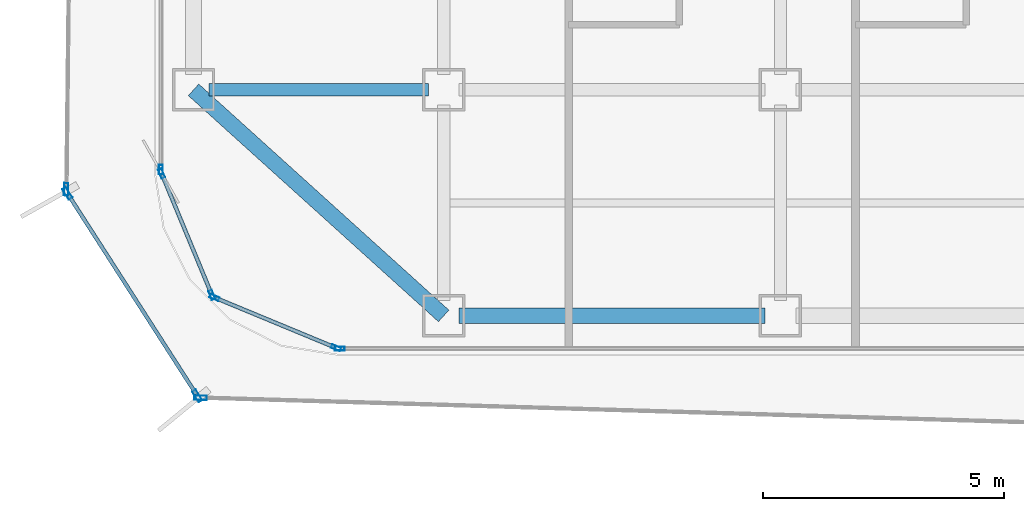
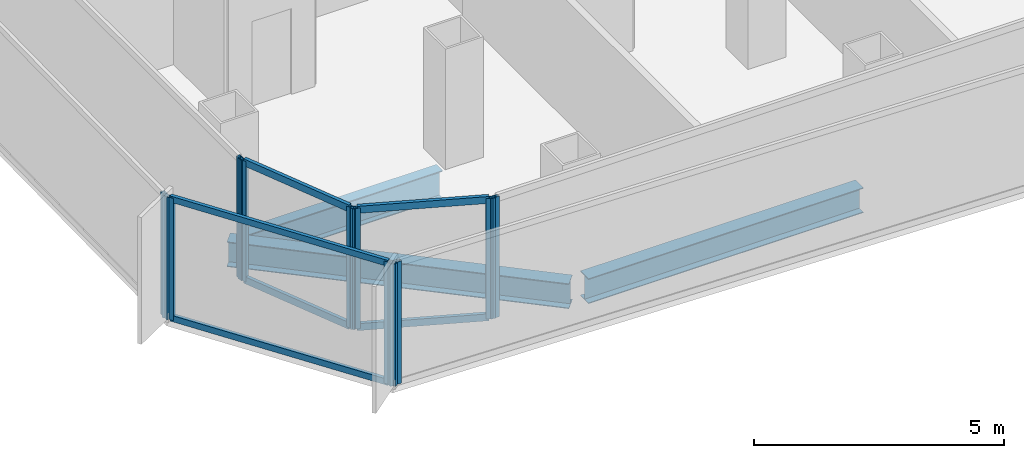
# One storey, part 2 of 21: 16 members, 3 beams, 7 elements without a shape of their own.
"""IFC4 building model written with IfcOpenShell, lengths in metres."""

from ifc_helpers import new_model, si_unit, direction, frame, origin, origin_2d, place, context, subcontext, project, spatial, hollow_rectangle, i_section, extrude, source, transform, mapped, material, layer, layer_set, material_profile, profile_set, type_object, element, aggregate, save


model = new_model("IFC4")

# Units and contexts
model_context = context("Model", 3, precision=1e-05, world=origin(), true_north=direction((0.0, 1.0)))
body_context = subcontext(model_context, "Body", "Model", "MODEL_VIEW")
ifc_project = project(units=[si_unit("LENGTHUNIT", "METRE"), si_unit("AREAUNIT", "SQUARE_METRE"), si_unit("VOLUMEUNIT", "CUBIC_METRE"), si_unit("PLANEANGLEUNIT", "RADIAN"), si_unit("MASSUNIT", "GRAM", prefix="KILO")], contexts=[model_context])

# Site, building, storey
site_placement = place(None, origin())
site = spatial("IfcSite", under=ifc_project, at=site_placement, CompositionType="ELEMENT")
building_placement = place(site_placement, origin())
building = spatial("IfcBuilding", under=site, at=building_placement, Name="Kolveth Station Tower", CompositionType="ELEMENT")
storey_placement = place(building_placement, frame((0.0, 0.0, 115.10009765625)))
storey = spatial("IfcBuildingStorey", under=building, at=storey_placement, Name="L31", CompositionType="ELEMENT", Elevation=115.10009765625)

# Beams
ifc_material_1 = material(Name="Steel S355", Category="steel")
ifc_material_profile_1 = material_profile(ifc_material_1, i_section(OverallWidth=0.323974609375, OverallDepth=0.611083984375, WebThickness=0.0126953125, FlangeThickness=0.01904296875, at=origin_2d()), Name="W610x155")
ifc_profile_set_1 = profile_set([ifc_material_profile_1], Name="Steel S355")
beam_type_1 = type_object("IfcBeamType", Name="Beam_SP2", PredefinedType="SPANDREL", material=ifc_profile_set_1)
shared_shape_1 = source(origin(), body_context, "Body", "SweptSolid", [
    extrude(i_section(OverallWidth=0.323974609375, OverallDepth=0.611083984375, WebThickness=0.0126953125, FlangeThickness=0.01904296875, at=origin_2d()), origin(), (0.0, 0.0, 1.0), 6.35986328125),
])
beam_1_placement = place(storey_placement, frame((6.320068359375, 0.800048828125, -0.5556640625), z_axis=(1.0, 0.0, 0.0), x_axis=(0.0, 1.0, 0.0)))
element("IfcBeam", 1, at=beam_1_placement, inside=storey, type_object=beam_type_1, Name="L31 Perimeter Spandrel BM-L31-PS-1", PredefinedType="SPANDREL", context=body_context, shape_type="MappedRepresentation", body=[
    mapped(shared_shape_1, transform((0.0, 0.0, 0.0), x_axis=(1.0, 0.0, 0.0), y_axis=(0.0, 1.0, 0.0), z_axis=(0.0, 0.0, 1.0), scale=1.0)),
])
shared_shape_2 = source(origin(), body_context, "Body", "SweptSolid", [
    extrude(i_section(OverallWidth=0.323974609375, OverallDepth=0.611083984375, WebThickness=0.0126953125, FlangeThickness=0.01904296875, at=origin_2d()), origin(), (0.0, 0.0, 1.0), 7.00927734375),
])
beam_2_placement = place(storey_placement, frame((0.800048828125, 5.5, -0.5556640625), z_axis=(0.741874009795, -0.670539300557, 0.0), x_axis=(0.670539300557, 0.741874009795, 0.0)))
element("IfcBeam", 2, at=beam_2_placement, inside=storey, type_object=beam_type_1, Name="L31 Corner Edge Girder BM-L31-CNR-SW", PredefinedType="SPANDREL", context=body_context, shape_type="MappedRepresentation", body=[
    mapped(shared_shape_2, transform((0.0, 0.0, 0.0), x_axis=(1.0, 0.0, 0.0), y_axis=(0.0, 1.0, 0.0), z_axis=(0.0, 0.0, 1.0), scale=1.0)),
])
ifc_material_profile_2 = material_profile(ifc_material_1, i_section(OverallWidth=0.25390625, OverallDepth=0.68798828125, WebThickness=0.01318359375, FlangeThickness=0.02099609375, at=origin_2d()), Name="W690x152")
ifc_profile_set_2 = profile_set([ifc_material_profile_2], Name="Steel S355")
beam_type_2 = type_object("IfcBeamType", Name="Beam_B4", PredefinedType="BEAM", material=ifc_profile_set_2)
shared_shape_3 = source(origin(), body_context, "Body", "SweptSolid", [
    extrude(i_section(OverallWidth=0.25390625, OverallDepth=0.68798828125, WebThickness=0.01318359375, FlangeThickness=0.02099609375, at=origin_2d()), origin(), (0.0, 0.0, 1.0), 4.559814453125),
])
beam_3_placement = place(storey_placement, frame((1.1201171875, 5.5, -0.593994140625), z_axis=(1.0, 0.0, 0.0), x_axis=(0.0, 1.0, 0.0)))
element("IfcBeam", 3, at=beam_3_placement, inside=storey, type_object=beam_type_2, Name="L31 Primary Girder BM-L31-GY55-1", PredefinedType="BEAM", context=body_context, shape_type="MappedRepresentation", body=[
    mapped(shared_shape_3, transform((0.0, 0.0, 0.0), x_axis=(1.0, 0.0, 0.0), y_axis=(0.0, 1.0, 0.0), z_axis=(0.0, 0.0, 1.0), scale=1.0)),
])

# Curtain wall, member
ifc_material_2 = material(Name="Aluminium 6063-T6 and low-E dark glass", Category="aluminium")
ifc_layer_1 = layer(ifc_material_2, 0.18994140625)
ifc_layer_set_1 = layer_set([ifc_layer_1], Name="Aluminium 6063-T6 and low-E dark glass")
curtain_wall_type_1 = type_object("IfcCurtainWallType", Name="CurtainWall_CW-Z2", PredefinedType="NOTDEFINED", material=ifc_layer_set_1)
curtain_wall_1_placement = place(storey_placement, origin())
curtain_wall_1 = element("IfcCurtainWall", 4, at=curtain_wall_1_placement, inside=storey, type_object=curtain_wall_type_1, Name="L31 Inner Thermal Curtain Wall 9", PredefinedType="NOTDEFINED")
ifc_material_3 = material(Name="Black anodized aluminium 6063-T6", Category="aluminium")
ifc_material_profile_3 = material_profile(ifc_material_3, hollow_rectangle(XDim=0.080078125, YDim=0.199951171875, WallThickness=0.0048828125, at=origin_2d()), Name="ALU-80x200x5")
ifc_profile_set_3 = profile_set([ifc_material_profile_3], Name="Black anodized aluminium 6063-T6")
member_type_1 = type_object("IfcMemberType", Name="Mullion_ML2", PredefinedType="MULLION", material=ifc_profile_set_3)
shared_shape_4 = source(origin(), body_context, "Body", "SweptSolid", [
    extrude(hollow_rectangle(XDim=0.080078125, YDim=0.199951171875, WallThickness=0.0048828125, at=origin_2d()), origin(), (0.0, 0.0, 1.0), 2.949951171875),
])
member_1_placement = place(storey_placement, frame((0.1201171875, 3.840087890625, 0.0), z_axis=(0.0, 0.0, 1.0), x_axis=(1.0, 0.0, 0.0)))
member_1 = element("IfcMember", 5, at=member_1_placement, type_object=member_type_1, Name="CW-Z2 mullion 2", PredefinedType="MULLION", context=body_context, shape_type="MappedRepresentation", body=[
    mapped(shared_shape_4, transform((0.0, 0.0, 0.0), x_axis=(1.0, 0.0, 0.0), y_axis=(0.0, 1.0, 0.0), z_axis=(0.0, 0.0, 1.0), scale=1.0)),
])
aggregate(curtain_wall_1, [member_1])

# Curtain wall, members
curtain_wall_2_placement = place(storey_placement, origin())
curtain_wall_2 = element("IfcCurtainWall", 6, at=curtain_wall_2_placement, inside=storey, type_object=curtain_wall_type_1, Name="L31 Inner Thermal Curtain Wall 10", PredefinedType="NOTDEFINED")
member_2_placement = place(storey_placement, frame((0.13525390625, 3.762939453125, 0.0), z_axis=(0.0, 0.0, 1.0), x_axis=(0.923887883787, 0.38266326998, 0.0)))
member_2 = element("IfcMember", 7, at=member_2_placement, type_object=member_type_1, Name="CW-Z2 mullion 1", PredefinedType="MULLION", context=body_context, shape_type="MappedRepresentation", body=[
    mapped(shared_shape_4, transform((0.0, 0.0, 0.0), x_axis=(1.0, 0.0, 0.0), y_axis=(0.0, 1.0, 0.0), z_axis=(0.0, 0.0, 1.0), scale=1.0)),
])
member_3_placement = place(storey_placement, frame((1.182373046875, 1.23486328125, 0.0), z_axis=(0.0, 0.0, 1.0), x_axis=(0.923887883787, 0.38266326998, 0.0)))
member_3 = element("IfcMember", 8, at=member_3_placement, type_object=member_type_1, Name="CW-Z2 mullion 2", PredefinedType="MULLION", context=body_context, shape_type="MappedRepresentation", body=[
    mapped(shared_shape_4, transform((0.0, 0.0, 0.0), x_axis=(1.0, 0.0, 0.0), y_axis=(0.0, 1.0, 0.0), z_axis=(0.0, 0.0, 1.0), scale=1.0)),
])

curtain_wall_3_placement = place(storey_placement, origin())
curtain_wall_3 = element("IfcCurtainWall", 9, at=curtain_wall_3_placement, inside=storey, type_object=curtain_wall_type_1, Name="L31 Inner Thermal Curtain Wall 11", PredefinedType="NOTDEFINED")
member_4_placement = place(storey_placement, frame((1.23486328125, 1.182373046875, 0.0), z_axis=(0.0, 0.0, 1.0), x_axis=(0.38266326998, 0.923887883787, 0.0)))
member_4 = element("IfcMember", 10, at=member_4_placement, type_object=member_type_1, Name="CW-Z2 mullion 1", PredefinedType="MULLION", context=body_context, shape_type="MappedRepresentation", body=[
    mapped(shared_shape_4, transform((0.0, 0.0, 0.0), x_axis=(1.0, 0.0, 0.0), y_axis=(0.0, 1.0, 0.0), z_axis=(0.0, 0.0, 1.0), scale=1.0)),
])
member_5_placement = place(storey_placement, frame((3.762939453125, 0.13525390625, 0.0), z_axis=(0.0, 0.0, 1.0), x_axis=(0.38266326998, 0.923887883787, 0.0)))
member_5 = element("IfcMember", 11, at=member_5_placement, type_object=member_type_1, Name="CW-Z2 mullion 2", PredefinedType="MULLION", context=body_context, shape_type="MappedRepresentation", body=[
    mapped(shared_shape_4, transform((0.0, 0.0, 0.0), x_axis=(1.0, 0.0, 0.0), y_axis=(0.0, 1.0, 0.0), z_axis=(0.0, 0.0, 1.0), scale=1.0)),
])

# Curtain wall, member
curtain_wall_4_placement = place(storey_placement, origin())
curtain_wall_4 = element("IfcCurtainWall", 12, at=curtain_wall_4_placement, inside=storey, type_object=curtain_wall_type_1, Name="L31 Inner Thermal Curtain Wall 12", PredefinedType="NOTDEFINED")
member_6_placement = place(storey_placement, frame((3.840087890625, 0.1201171875, 0.0), z_axis=(0.0, 0.0, 1.0), x_axis=(0.0, 1.0, 0.0)))
member_6 = element("IfcMember", 13, at=member_6_placement, type_object=member_type_1, Name="CW-Z2 mullion 1", PredefinedType="MULLION", context=body_context, shape_type="MappedRepresentation", body=[
    mapped(shared_shape_4, transform((0.0, 0.0, 0.0), x_axis=(1.0, 0.0, 0.0), y_axis=(0.0, 1.0, 0.0), z_axis=(0.0, 0.0, 1.0), scale=1.0)),
])
aggregate(curtain_wall_4, [member_6])

# Member
ifc_material_profile_4 = material_profile(ifc_material_3, hollow_rectangle(XDim=0.080078125, YDim=0.169921875, WallThickness=0.0048828125, at=origin_2d()), Name="ALU-80x170x5")
ifc_profile_set_4 = profile_set([ifc_material_profile_4], Name="Black anodized aluminium 6063-T6")
member_type_2 = type_object("IfcMemberType", Name="Transom_TR2", PredefinedType="USERDEFINED", material=ifc_profile_set_4)
shared_shape_5 = source(origin(), body_context, "Body", "SweptSolid", [
    extrude(hollow_rectangle(XDim=0.080078125, YDim=0.169921875, WallThickness=0.0048828125, at=origin_2d()), origin(), (0.0, 0.0, 1.0), 2.656494140625),
])
member_7_placement = place(storey_placement, frame((0.150634765625, 3.72607421875, 0.039794921875), z_axis=(0.382676455475, -0.923882422403, 0.0), x_axis=(0.923882422403, 0.382676455475, 0.0)))
member_7 = element("IfcMember", 14, at=member_7_placement, type_object=member_type_2, Name="CW-Z2 transom 1.1", ObjectType="TRANSOM", PredefinedType="USERDEFINED", context=body_context, shape_type="MappedRepresentation", body=[
    mapped(shared_shape_5, transform((0.0, 0.0, 0.0), x_axis=(1.0, 0.0, 0.0), y_axis=(0.0, 1.0, 0.0), z_axis=(0.0, 0.0, 1.0), scale=1.0)),
])

member_8_placement = place(storey_placement, frame((0.150634765625, 3.72607421875, 2.909912109375), z_axis=(0.382676455475, -0.923882422403, 0.0), x_axis=(0.923882422403, 0.382676455475, 0.0)))
member_8 = element("IfcMember", 15, at=member_8_placement, type_object=member_type_2, Name="CW-Z2 transom 1.2", ObjectType="TRANSOM", PredefinedType="USERDEFINED", context=body_context, shape_type="MappedRepresentation", body=[
    mapped(shared_shape_5, transform((0.0, 0.0, 0.0), x_axis=(1.0, 0.0, 0.0), y_axis=(0.0, 1.0, 0.0), z_axis=(0.0, 0.0, 1.0), scale=1.0)),
])

aggregate(curtain_wall_2, [member_2, member_3, member_7, member_8])

member_9_placement = place(storey_placement, frame((1.271728515625, 1.167236328125, 0.039794921875), z_axis=(0.923882422403, -0.382676455475, 0.0), x_axis=(0.382676455475, 0.923882422403, 0.0)))
member_9 = element("IfcMember", 16, at=member_9_placement, type_object=member_type_2, Name="CW-Z2 transom 1.1", ObjectType="TRANSOM", PredefinedType="USERDEFINED", context=body_context, shape_type="MappedRepresentation", body=[
    mapped(shared_shape_5, transform((0.0, 0.0, 0.0), x_axis=(1.0, 0.0, 0.0), y_axis=(0.0, 1.0, 0.0), z_axis=(0.0, 0.0, 1.0), scale=1.0)),
])

member_10_placement = place(storey_placement, frame((1.271728515625, 1.167236328125, 2.909912109375), z_axis=(0.923882422403, -0.382676455475, 0.0), x_axis=(0.382676455475, 0.923882422403, 0.0)))
member_10 = element("IfcMember", 17, at=member_10_placement, type_object=member_type_2, Name="CW-Z2 transom 1.2", ObjectType="TRANSOM", PredefinedType="USERDEFINED", context=body_context, shape_type="MappedRepresentation", body=[
    mapped(shared_shape_5, transform((0.0, 0.0, 0.0), x_axis=(1.0, 0.0, 0.0), y_axis=(0.0, 1.0, 0.0), z_axis=(0.0, 0.0, 1.0), scale=1.0)),
])

aggregate(curtain_wall_3, [member_4, member_5, member_9, member_10])

# Curtain wall, member
ifc_material_4 = material(Name="Black anodized aluminium 6063-T6 and dark solar glass", Category="aluminium")
ifc_layer_2 = layer(ifc_material_4, 0.159912109375)
ifc_layer_set_2 = layer_set([ifc_layer_2], Name="Black anodized aluminium 6063-T6 and dark solar glass")
curtain_wall_type_2 = type_object("IfcCurtainWallType", Name="OUTER SKIN CW-OS", PredefinedType="NOTDEFINED", material=ifc_layer_set_2)
curtain_wall_5_placement = place(storey_placement, origin())
curtain_wall_5 = element("IfcCurtainWall", 18, at=curtain_wall_5_placement, inside=storey, type_object=curtain_wall_type_2, Name="L31 Outer Ventilated Skin Curtain Wall 6", PredefinedType="NOTDEFINED")
ifc_material_profile_5 = material_profile(ifc_material_3, hollow_rectangle(XDim=0.090087890625, YDim=0.260009765625, WallThickness=0.0048828125, at=origin_2d()), Name="ALU-90x260x5")
ifc_profile_set_5 = profile_set([ifc_material_profile_5], Name="Black anodized aluminium 6063-T6")
member_type_3 = type_object("IfcMemberType", Name="FIN MULLION ML-OS", PredefinedType="MULLION", material=ifc_profile_set_5)
shared_shape_6 = source(origin(), body_context, "Body", "SweptSolid", [
    extrude(hollow_rectangle(XDim=0.090087890625, YDim=0.260009765625, WallThickness=0.0048828125, at=origin_2d()), origin(), (0.0, 0.0, 1.0), 2.989990234375),
])
member_11_placement = place(storey_placement, frame((-1.847900390625, 3.4326171875, 0.0), z_axis=(0.0, 0.0, 1.0), x_axis=(0.999933340447, -0.011546196923, 0.0)))
member_11 = element("IfcMember", 19, at=member_11_placement, type_object=member_type_3, Name="CW-OS mullion 2", PredefinedType="MULLION", context=body_context, shape_type="MappedRepresentation", body=[
    mapped(shared_shape_6, transform((0.0, 0.0, 0.0), x_axis=(1.0, 0.0, 0.0), y_axis=(0.0, 1.0, 0.0), z_axis=(0.0, 0.0, 1.0), scale=1.0)),
])
aggregate(curtain_wall_5, [member_11])

# Curtain wall, members
curtain_wall_6_placement = place(storey_placement, origin())
curtain_wall_6 = element("IfcCurtainWall", 20, at=curtain_wall_6_placement, inside=storey, type_object=curtain_wall_type_2, Name="L31 Outer Ventilated Skin Curtain Wall 7", PredefinedType="NOTDEFINED")
member_12_placement = place(storey_placement, frame((-1.82421875, 3.349609375, 0.0), z_axis=(0.0, 0.0, 1.0), x_axis=(0.841679945661, 0.539976730122, 0.0)))
member_12 = element("IfcMember", 21, at=member_12_placement, type_object=member_type_3, Name="CW-OS mullion 1", PredefinedType="MULLION", context=body_context, shape_type="MappedRepresentation", body=[
    mapped(shared_shape_6, transform((0.0, 0.0, 0.0), x_axis=(1.0, 0.0, 0.0), y_axis=(0.0, 1.0, 0.0), z_axis=(0.0, 0.0, 1.0), scale=1.0)),
])
member_13_placement = place(storey_placement, frame((0.878662109375, -0.86328125, 0.0), z_axis=(0.0, 0.0, 1.0), x_axis=(0.841679945661, 0.539976730122, 0.0)))
member_13 = element("IfcMember", 22, at=member_13_placement, type_object=member_type_3, Name="CW-OS mullion 2", PredefinedType="MULLION", context=body_context, shape_type="MappedRepresentation", body=[
    mapped(shared_shape_6, transform((0.0, 0.0, 0.0), x_axis=(1.0, 0.0, 0.0), y_axis=(0.0, 1.0, 0.0), z_axis=(0.0, 0.0, 1.0), scale=1.0)),
])

# Curtain wall, member
curtain_wall_7_placement = place(storey_placement, origin())
curtain_wall_7 = element("IfcCurtainWall", 23, at=curtain_wall_7_placement, inside=storey, type_object=curtain_wall_type_2, Name="L31 Outer Ventilated Skin Curtain Wall 8", PredefinedType="NOTDEFINED")
member_14_placement = place(storey_placement, frame((0.947998046875, -0.90234375, 0.0), z_axis=(0.0, 0.0, 1.0), x_axis=(0.029769298917, 0.999556796206, 0.0)))
member_14 = element("IfcMember", 24, at=member_14_placement, type_object=member_type_3, Name="CW-OS mullion 1", PredefinedType="MULLION", context=body_context, shape_type="MappedRepresentation", body=[
    mapped(shared_shape_6, transform((0.0, 0.0, 0.0), x_axis=(1.0, 0.0, 0.0), y_axis=(0.0, 1.0, 0.0), z_axis=(0.0, 0.0, 1.0), scale=1.0)),
])
aggregate(curtain_wall_7, [member_14])

# Member
ifc_material_profile_6 = material_profile(ifc_material_3, hollow_rectangle(XDim=0.080078125, YDim=0.14990234375, WallThickness=0.0048828125, at=origin_2d()), Name="ALU-80x150x5")
ifc_profile_set_6 = profile_set([ifc_material_profile_6], Name="Black anodized aluminium 6063-T6")
member_type_4 = type_object("IfcMemberType", Name="Transom_TR-OS", PredefinedType="USERDEFINED", material=ifc_profile_set_6)
shared_shape_7 = source(origin(), body_context, "Body", "SweptSolid", [
    extrude(hollow_rectangle(XDim=0.080078125, YDim=0.14990234375, WallThickness=0.0048828125, at=origin_2d()), origin(), (0.0, 0.0, 1.0), 4.915283203125),
])
member_15_placement = place(storey_placement, frame((-1.7998046875, 3.311767578125, 0.039794921875), z_axis=(0.539954030357, -0.84169450818, 0.0), x_axis=(0.84169450818, 0.539954030357, 0.0)))
member_15 = element("IfcMember", 25, at=member_15_placement, type_object=member_type_4, Name="CW-OS transom 1.1", ObjectType="TRANSOM", PredefinedType="USERDEFINED", context=body_context, shape_type="MappedRepresentation", body=[
    mapped(shared_shape_7, transform((0.0, 0.0, 0.0), x_axis=(1.0, 0.0, 0.0), y_axis=(0.0, 1.0, 0.0), z_axis=(0.0, 0.0, 1.0), scale=1.0)),
])

member_16_placement = place(storey_placement, frame((-1.7998046875, 3.311767578125, 2.949951171875), z_axis=(0.539954030357, -0.84169450818, 0.0), x_axis=(0.84169450818, 0.539954030357, 0.0)))
member_16 = element("IfcMember", 26, at=member_16_placement, type_object=member_type_4, Name="CW-OS transom 1.2", ObjectType="TRANSOM", PredefinedType="USERDEFINED", context=body_context, shape_type="MappedRepresentation", body=[
    mapped(shared_shape_7, transform((0.0, 0.0, 0.0), x_axis=(1.0, 0.0, 0.0), y_axis=(0.0, 1.0, 0.0), z_axis=(0.0, 0.0, 1.0), scale=1.0)),
])

aggregate(curtain_wall_6, [member_12, member_13, member_15, member_16])

save(model, "model.ifc")
